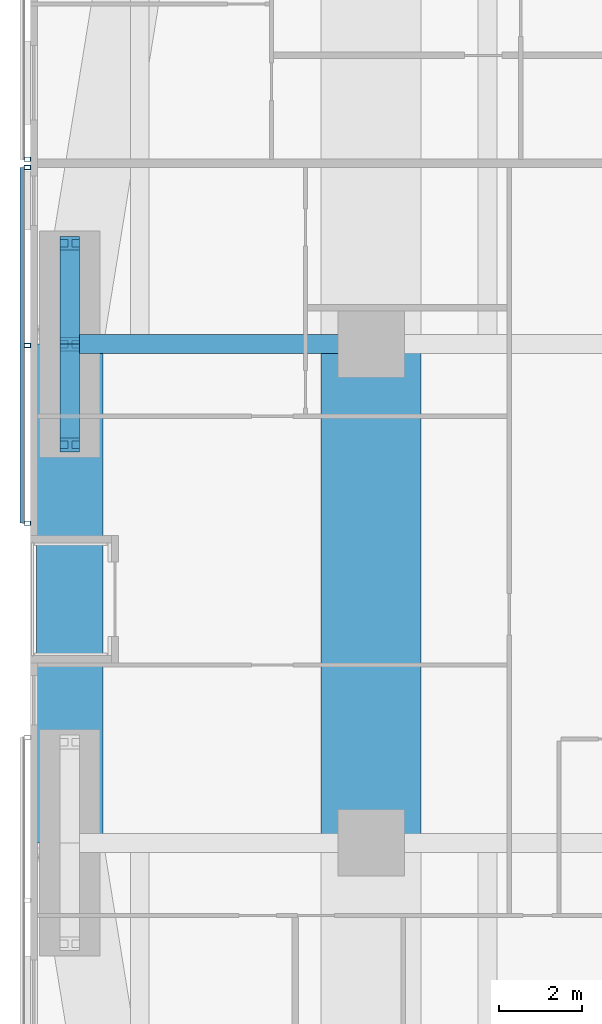
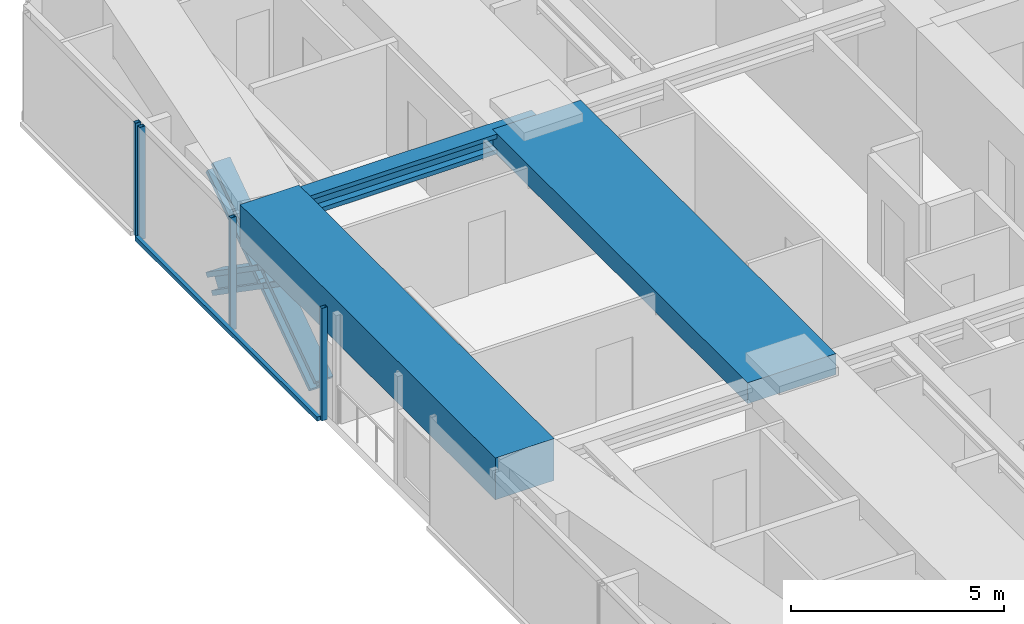
# One storey, part 6 of 23: 9 members, 3 beams, 2 elements without a shape of their own.
"""IFC4 building model written with IfcOpenShell, lengths in metres."""

from ifc_helpers import new_model, si_unit, direction, frame, origin, origin_2d, place, context, subcontext, project, spatial, rectangle, hollow_rectangle, i_section, extrude, material, material_profile, profile_set, type_object, element, aggregate, save


model = new_model("IFC4")

# Units and contexts
model_context = context("Model", 3, precision=1e-05, world=origin(), true_north=direction((0.0, 1.0)))
body_context = subcontext(model_context, "Body", "Model", "MODEL_VIEW")
ifc_project = project(units=[si_unit("LENGTHUNIT", "METRE"), si_unit("AREAUNIT", "SQUARE_METRE"), si_unit("VOLUMEUNIT", "CUBIC_METRE"), si_unit("PLANEANGLEUNIT", "RADIAN"), si_unit("MASSUNIT", "GRAM", prefix="KILO")], contexts=[model_context])

# Site, building, storey
site_placement = place(None, origin())
site = spatial("IfcSite", under=ifc_project, at=site_placement, CompositionType="ELEMENT")
building_placement = place(site_placement, origin())
building = spatial("IfcBuilding", under=site, at=building_placement, Name="Jalousie Tower", CompositionType="ELEMENT")
storey_placement = place(building_placement, frame((0.0, 0.0, 31.050048828125)))
storey = spatial("IfcBuildingStorey", under=building, at=storey_placement, Name="L07", CompositionType="ELEMENT", Elevation=31.050048828125)

# Beam
ifc_material_1 = material(Name="Steel ASTM A992 Grade 50", Category="steel")
ifc_material_profile_1 = material_profile(ifc_material_1, i_section(OverallWidth=0.45458984375, OverallDepth=0.569091796875, WebThickness=0.077880859375, FlangeThickness=0.124755859375, at=origin_2d()), Name="W14X730")
ifc_profile_set_1 = profile_set([ifc_material_profile_1], Name="Steel ASTM A992 Grade 50")
beam_type_1 = type_object("IfcBeamType", Name="LEAN COLLECTOR W14X730", PredefinedType="BEAM", material=ifc_profile_set_1)
beam_1_placement = place(storey_placement, frame((2.949951171875, 25.0, 2.825439453125), z_axis=(1.0, 0.0, 0.0), x_axis=(0.0, 1.0, 0.0)))
element("IfcBeam", 1, at=beam_1_placement, inside=storey, type_object=beam_type_1, Name="Lean collector under L08", PredefinedType="BEAM", context=body_context, shape_type="SweptSolid", body=[
    extrude(i_section(OverallWidth=0.45458984375, OverallDepth=0.569091796875, WebThickness=0.077880859375, FlangeThickness=0.124755859375, at=origin_2d()), origin(), (0.0, 0.0, 1.0), 7.25),
])

# Members
ifc_material_2 = material(Name="Steel ASTM A992 Grade 50", Category="steel")
ifc_material_profile_2 = material_profile(ifc_material_2, i_section(OverallWidth=0.472412109375, OverallDepth=0.5791015625, WebThickness=0.094970703125, FlangeThickness=0.1298828125, at=origin_2d()), Name="W14X808")
ifc_profile_set_2 = profile_set([ifc_material_profile_2], Name="Steel ASTM A992 Grade 50")
member_type_1 = type_object("IfcMemberType", Name="PERIMETER BRACE W14X808", PredefinedType="BRACE", material=ifc_profile_set_2)
for number, where, z_axis, x_axis, name in (
    (2, (2.949951171875, 22.574951171875, -0.60009765625), (0.0, 0.822800062329, 0.568330940062), (-1.0, 0.0, 0.0), "Perimeter brace 13 L07 part 1"),
    (3, (2.949951171875, 25.0, 1.074951171875), (0.0, 0.822800062329, 0.568330940062), (-1.0, 0.0, 0.0), "Perimeter brace 13 L07 part 2"),
    (4, (2.949951171875, 27.425048828125, -0.60009765625), (0.0, -0.822800062329, 0.568330940062), (1.0, 0.0, 0.0), "Perimeter brace 13 L07 part 3"),
    (5, (2.949951171875, 25.0, 1.074951171875), (0.0, -0.822800062329, 0.568330940062), (1.0, 0.0, 0.0), "Perimeter brace 13 L07 part 4"),
):
    element("IfcMember", number, at=place(storey_placement, frame(where, z_axis=z_axis, x_axis=x_axis)), inside=storey, type_object=member_type_1, Name=name, PredefinedType="BRACE", context=body_context, shape_type="SweptSolid", body=[
        extrude(i_section(OverallWidth=0.472412109375, OverallDepth=0.5791015625, WebThickness=0.094970703125, FlangeThickness=0.1298828125, at=origin_2d()), origin(), (0.0, 0.0, 1.0), 2.947265625),
    ])

# Beams
ifc_material_3 = material(Name="Concrete f'c 40 MPa", Category="concrete")
ifc_material_profile_3 = material_profile(ifc_material_3, rectangle(XDim=1.60009765625, YDim=1.199951171875, at=origin_2d()), Name="RC 1600x1200")
ifc_profile_set_3 = profile_set([ifc_material_profile_3], Name="Concrete f'c 40 MPa")
beam_type_2 = type_object("IfcBeamType", Name="RC BEAM 1600x1200", PredefinedType="BEAM", material=ifc_profile_set_3)
beam_2_placement = place(storey_placement, frame((2.949951171875, 25.0, 2.75), z_axis=(0.0, -1.0, 0.0), x_axis=(1.0, 0.0, 0.0)))
element("IfcBeam", 6, at=beam_2_placement, inside=storey, type_object=beam_type_2, Name="Edge band beam 13-14 under L08", PredefinedType="BEAM", context=body_context, shape_type="SweptSolid", body=[
    extrude(rectangle(XDim=1.60009765625, YDim=1.199951171875, at=origin_2d()), origin(), (0.0, 0.0, 1.0), 12.0),
])
ifc_material_4 = material(Name="Concrete f'c 40 MPa", Category="concrete")
ifc_material_profile_4 = material_profile(ifc_material_4, rectangle(XDim=2.39990234375, YDim=0.60009765625, at=origin_2d()), Name="RC 2400x600")
ifc_profile_set_4 = profile_set([ifc_material_profile_4], Name="Concrete f'c 40 MPa")
beam_type_3 = type_object("IfcBeamType", Name="RC BEAM 2400x600", PredefinedType="BEAM", material=ifc_profile_set_4)
beam_3_placement = place(storey_placement, frame((10.199951171875, 13.0, 2.81005859375), z_axis=(0.0, 1.0, 0.0), x_axis=(-1.0, 0.0, 0.0)))
element("IfcBeam", 7, at=beam_3_placement, inside=storey, type_object=beam_type_3, Name="Floor band beam under L08", PredefinedType="BEAM", context=body_context, shape_type="SweptSolid", body=[
    extrude(rectangle(XDim=2.39990234375, YDim=0.60009765625, at=origin_2d()), origin(), (0.0, 0.0, 1.0), 12.0),
])

# Curtain wall, member
ifc_material_5 = material(Name="Perforated aluminium sheet", Category="aluminium")
curtain_wall_type = type_object("IfcCurtainWallType", Name="SOLAR SCREEN SS-1", PredefinedType="USERDEFINED", material=ifc_material_5)
curtain_wall_1_placement = place(storey_placement, origin())
curtain_wall_1 = element("IfcCurtainWall", 8, at=curtain_wall_1_placement, inside=storey, type_object=curtain_wall_type, Name="Solar screen L07", ObjectType="SOLAR SCREEN SS-1", PredefinedType="USERDEFINED")
ifc_material_6 = material(Name="Steel ASTM A500 Grade C", Category="steel")
ifc_material_profile_5 = material_profile(ifc_material_6, hollow_rectangle(XDim=0.1015625, YDim=0.15234375, WallThickness=0.00634765625, at=origin_2d()), Name="HSS6X4X1/4")
ifc_profile_set_5 = profile_set([ifc_material_profile_5], Name="Steel ASTM A500 Grade C")
member_type_2 = type_object("IfcMemberType", Name="SOLAR SCREEN SS-1 MULLION", PredefinedType="MULLION", material=ifc_profile_set_5)
member_1_placement = place(storey_placement, frame((1.9287109375, 29.449951171875, -0.1201171875), z_axis=(0.0, 0.0, 1.0), x_axis=(0.0, -1.0, 0.0)))
member_1 = element("IfcMember", 9, at=member_1_placement, type_object=member_type_2, Name="SS1 post 2", PredefinedType="MULLION", context=body_context, shape_type="SweptSolid", body=[
    extrude(hollow_rectangle(XDim=0.1015625, YDim=0.15234375, WallThickness=0.00634765625, at=origin_2d()), origin(), (0.0, 0.0, 1.0), 3.22998046875),
])
aggregate(curtain_wall_1, [member_1])

# Curtain wall, members
curtain_wall_2_placement = place(storey_placement, origin())
curtain_wall_2 = element("IfcCurtainWall", 10, at=curtain_wall_2_placement, inside=storey, type_object=curtain_wall_type, Name="Solar screen L07", ObjectType="SOLAR SCREEN SS-1", PredefinedType="USERDEFINED")
member_2_placement = place(storey_placement, frame((1.9287109375, 29.25, -0.1201171875), z_axis=(0.0, 0.0, 1.0), x_axis=(0.0, -1.0, 0.0)))
member_2 = element("IfcMember", 11, at=member_2_placement, type_object=member_type_2, Name="SS1 post 1", PredefinedType="MULLION", context=body_context, shape_type="SweptSolid", body=[
    extrude(hollow_rectangle(XDim=0.1015625, YDim=0.15234375, WallThickness=0.00634765625, at=origin_2d()), origin(), (0.0, 0.0, 1.0), 3.22998046875),
])
member_3_placement = place(storey_placement, frame((1.9287109375, 24.970703125, -0.1201171875), z_axis=(0.0, 0.0, 1.0), x_axis=(0.0, -1.0, 0.0)))
member_3 = element("IfcMember", 12, at=member_3_placement, type_object=member_type_2, Name="SS1 post 2", PredefinedType="MULLION", context=body_context, shape_type="SweptSolid", body=[
    extrude(hollow_rectangle(XDim=0.1015625, YDim=0.15234375, WallThickness=0.00634765625, at=origin_2d()), origin(), (0.0, 0.0, 1.0), 3.22998046875),
])
member_4_placement = place(storey_placement, frame((1.9287109375, 20.691650390625, -0.1201171875), z_axis=(0.0, 0.0, 1.0), x_axis=(0.0, -1.0, 0.0)))
member_4 = element("IfcMember", 13, at=member_4_placement, type_object=member_type_2, Name="SS1 post 3", PredefinedType="MULLION", context=body_context, shape_type="SweptSolid", body=[
    extrude(hollow_rectangle(XDim=0.1015625, YDim=0.15234375, WallThickness=0.00634765625, at=origin_2d()), origin(), (0.0, 0.0, 1.0), 3.22998046875),
])
ifc_material_7 = material(Name="Extruded aluminium screen rail", Category="aluminium")
ifc_material_profile_6 = material_profile(ifc_material_7, rectangle(XDim=0.1015625, YDim=0.1201171875, at=origin_2d()), Name="RAIL 102x120")
ifc_profile_set_6 = profile_set([ifc_material_profile_6], Name="Extruded aluminium screen rail")
member_type_3 = type_object("IfcMemberType", Name="SOLAR SCREEN SS-1 TRANSOM", PredefinedType="USERDEFINED", material=ifc_profile_set_6)
member_5_placement = place(storey_placement, frame((1.8017578125, 29.25, -0.06005859375), z_axis=(0.0, -1.0, 0.0), x_axis=(1.0, 0.0, 0.0)))
member_5 = element("IfcMember", 14, at=member_5_placement, type_object=member_type_3, Name="SS1 rail", ObjectType="TRANSOM", PredefinedType="USERDEFINED", context=body_context, shape_type="SweptSolid", body=[
    extrude(rectangle(XDim=0.1015625, YDim=0.1201171875, at=origin_2d()), origin(), (0.0, 0.0, 1.0), 8.558349609375),
])
aggregate(curtain_wall_2, [member_2, member_3, member_4, member_5])

save(model, "model.ifc")
